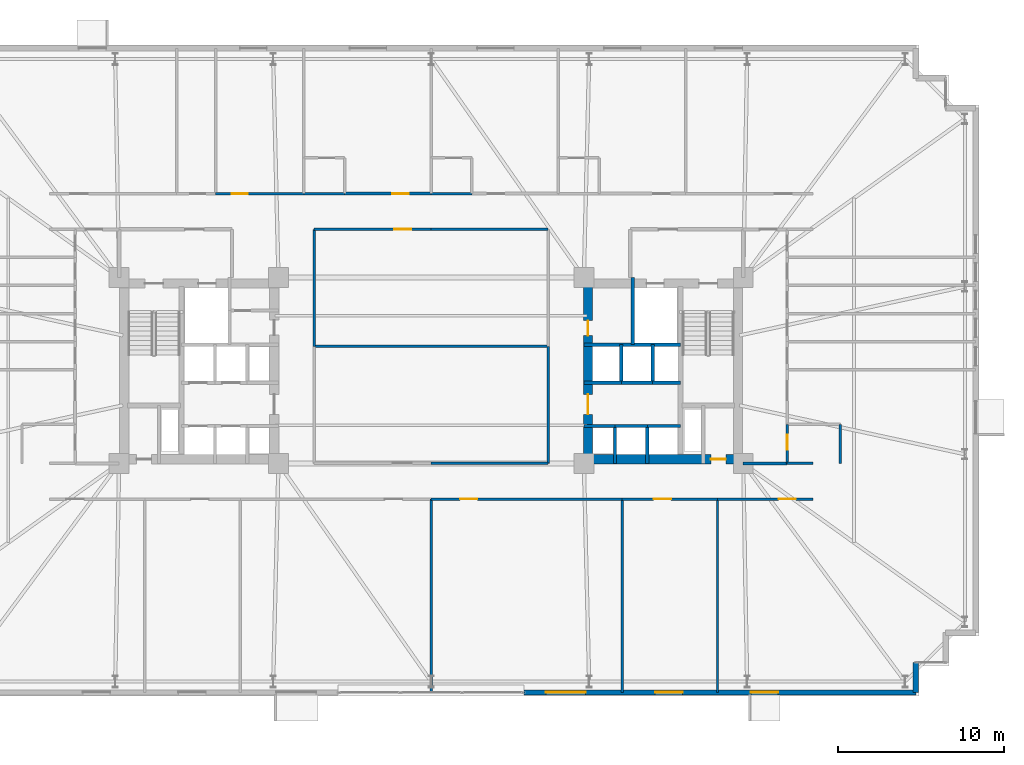
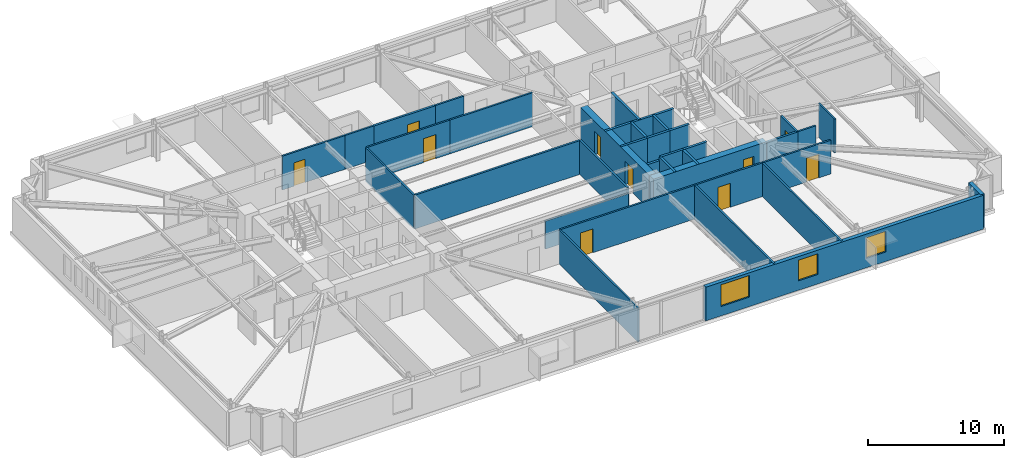
# One storey, part 20 of 24: 36 walls, 10 doors, 3 windows, 13 openings.
"""IFC4 building model written with IfcOpenShell, lengths in metres."""

from ifc_helpers import new_model, si_unit, direction, frame, frame_2d, origin, place, context, subcontext, project, spatial, rectangle, extrude, material, layer, layer_set, type_object, element, fill, save


model = new_model("IFC4")

# Units and contexts
model_context = context("Model", 3, precision=1e-05, world=origin(), true_north=direction((0.0, 1.0)))
body_context = subcontext(model_context, "Body", "Model", "MODEL_VIEW")
ifc_project = project(units=[si_unit("LENGTHUNIT", "METRE"), si_unit("AREAUNIT", "SQUARE_METRE"), si_unit("VOLUMEUNIT", "CUBIC_METRE"), si_unit("PLANEANGLEUNIT", "RADIAN"), si_unit("MASSUNIT", "GRAM", prefix="KILO")], contexts=[model_context])

# Site, building, storey
site_placement = place(None, origin())
site = spatial("IfcSite", under=ifc_project, at=site_placement, CompositionType="ELEMENT")
building_placement = place(site_placement, origin())
building = spatial("IfcBuilding", under=site, at=building_placement, Name="Qobustan Lattice House", CompositionType="ELEMENT")
storey_placement = place(building_placement, frame((0.0, 0.0, 43.75)))
storey = spatial("IfcBuildingStorey", under=building, at=storey_placement, Name="L11", CompositionType="ELEMENT", Elevation=43.75)

# Wall, opening, door
ifc_material_1 = material(Name="Concrete C60/75", Category="concrete")
ifc_layer_1 = layer(ifc_material_1, 0.56005859375)
ifc_layer_set_1 = layer_set([ifc_layer_1], Name="Concrete C60/75")
wall_type_1 = type_object("IfcWallType", Name="WAL-CORE-600", PredefinedType="SHEAR", material=ifc_layer_set_1)
wall_1_placement = place(storey_placement, frame((9.199951171875, -5.35009765625, 0.0), z_axis=(0.0, 0.0, 1.0), x_axis=(1.0, 0.0, 0.0)))
wall_1 = element("IfcWall", 1, at=wall_1_placement, inside=storey, type_object=wall_type_1, Name="L11 split-core shear wall CE-S", PredefinedType="SHEAR", context=body_context, shape_type="SweptSolid", body=[
    extrude(rectangle(XDim=9.60009765625, YDim=0.56005859375, at=frame_2d((4.800048828125, 0.0))), origin(), (0.0, 0.0, 1.0), 3.034912109375),
])
opening_1_placement = place(wall_1_placement, frame((7.64990234375, 0.0, 0.0)))
opening_1 = element("IfcOpeningElement", 2, at=opening_1_placement, cuts=wall_1, Name="Opening RD-01", PredefinedType="OPENING", context=body_context, shape_type="SweptSolid", body=[
    extrude(rectangle(XDim=0.89990234375, YDim=2.10009765625, at=frame_2d((0.449951171875, 1.050048828125))), frame((0.0, 0.2900390625, 0.0), z_axis=(0.0, -1.0, 0.0), x_axis=(1.0, 0.0, 0.0)), (0.0, 0.0, 1.0), 0.580078125),
])
ifc_material_2 = material(Name="Persian walnut timber and steel frame door", Category="steel")
door_type_1 = type_object("IfcDoorType", Name="DOR-RISER-FD-900x2100", OperationType="NOTDEFINED", PredefinedType="DOOR", material=ifc_material_2)
door_1_placement = place(opening_1_placement, origin())
door_1 = element("IfcDoor", 3, at=door_1_placement, inside=storey, type_object=door_type_1, Name="L11 core service riser access door E", OperationType="SINGLE_SWING_RIGHT", OverallHeight=2.10009765625, OverallWidth=0.89990234375, PredefinedType="DOOR", context=body_context, shape_type="SweptSolid", body=[
    extrude(rectangle(XDim=0.89990234375, YDim=2.10009765625, at=frame_2d((0.449951171875, 1.050048828125))), frame((0.0, 0.02490234375, 0.0), z_axis=(0.0, -1.0, 0.0), x_axis=(1.0, 0.0, 0.0)), (0.0, 0.0, 1.0), 0.050048828125),
])
fill(opening_1, door_1)

# Wall, openings, doors
wall_2_placement = place(storey_placement, frame((9.449951171875, -5.050048828125, 0.0), z_axis=(0.0, 0.0, 1.0), x_axis=(0.0, 1.0, 0.0)))
wall_2 = element("IfcWall", 4, at=wall_2_placement, inside=storey, type_object=wall_type_1, Name="L11 split-core shear wall CE-W", PredefinedType="SHEAR", context=body_context, shape_type="SweptSolid", body=[
    extrude(rectangle(XDim=10.10009765625, YDim=0.56005859375, at=frame_2d((5.050048828125, 0.0))), origin(), (0.0, 0.0, 1.0), 3.034912109375),
])
opening_2_placement = place(wall_2_placement, frame((7.14990234375, 0.0, 0.0)))
opening_2 = element("IfcOpeningElement", 5, at=opening_2_placement, cuts=wall_2, Name="Opening RD-01", PredefinedType="OPENING", context=body_context, shape_type="SweptSolid", body=[
    extrude(rectangle(XDim=0.89990234375, YDim=2.10009765625, at=frame_2d((0.449951171875, 1.050048828125))), frame((0.0, 0.2900390625, 0.0), z_axis=(0.0, -1.0, 0.0), x_axis=(1.0, 0.0, 0.0)), (0.0, 0.0, 1.0), 0.580078125),
])
opening_3_placement = place(wall_2_placement, frame((2.39990234375, 0.0, 0.0)))
opening_3 = element("IfcOpeningElement", 6, at=opening_3_placement, cuts=wall_2, Name="Opening FD-01", PredefinedType="OPENING", context=body_context, shape_type="SweptSolid", body=[
    extrude(rectangle(XDim=1.199951171875, YDim=2.14990234375, at=frame_2d((0.60009765625, 1.074951171875))), frame((0.0, 0.2900390625, 0.0), z_axis=(0.0, -1.0, 0.0), x_axis=(1.0, 0.0, 0.0)), (0.0, 0.0, 1.0), 0.580078125),
])
ifc_material_3 = material(Name="Persian walnut timber and steel frame door", Category="steel")
door_type_2 = type_object("IfcDoorType", Name="DOR-LOBBY-FD-1200x2150", OperationType="NOTDEFINED", PredefinedType="DOOR", material=ifc_material_3)
door_2_placement = place(opening_3_placement, origin())
door_2 = element("IfcDoor", 7, at=door_2_placement, inside=storey, type_object=door_type_2, Name="L11 East passenger lift lobby fire door", OperationType="SINGLE_SWING_LEFT", OverallHeight=2.14990234375, OverallWidth=1.199951171875, PredefinedType="DOOR", context=body_context, shape_type="SweptSolid", body=[
    extrude(rectangle(XDim=1.199951171875, YDim=2.14990234375, at=frame_2d((0.60009765625, 1.074951171875))), frame((0.0, 0.02490234375, 0.0), z_axis=(0.0, -1.0, 0.0), x_axis=(1.0, 0.0, 0.0)), (0.0, 0.0, 1.0), 0.050048828125),
])
fill(opening_3, door_2)
door_3_placement = place(opening_2_placement, origin())
door_3 = element("IfcDoor", 8, at=door_3_placement, inside=storey, type_object=door_type_1, Name="L11 Housekeeping linen store fire door", OperationType="SINGLE_SWING_RIGHT", OverallHeight=2.10009765625, OverallWidth=0.89990234375, PredefinedType="DOOR", context=body_context, shape_type="SweptSolid", body=[
    extrude(rectangle(XDim=0.89990234375, YDim=2.10009765625, at=frame_2d((0.449951171875, 1.050048828125))), frame((0.0, 0.02490234375, 0.0), z_axis=(0.0, -1.0, 0.0), x_axis=(1.0, 0.0, 0.0)), (0.0, 0.0, 1.0), 0.050048828125),
])
fill(opening_2, door_3)

# Wall
ifc_material_4 = material(Name="Precast concrete C40/50", Category="concrete")
ifc_layer_2 = layer(ifc_material_4, 0.320068359375)
ifc_layer_set_2 = layer_set([ifc_layer_2], Name="Precast concrete C40/50")
wall_type_2 = type_object("IfcWallType", Name="WAL-EXT-STONE-320", PredefinedType="SOLIDWALL", material=ifc_layer_set_2)
wall_3_placement = place(storey_placement, frame((29.199951171875, -17.60009765625, 0.0), z_axis=(0.0, 0.0, 1.0), x_axis=(0.0, -1.0, 0.0)))
element("IfcWall", 9, at=wall_3_placement, inside=storey, type_object=wall_type_2, Name="L11 exterior limestone-clad wall 19", PredefinedType="SOLIDWALL", context=body_context, shape_type="SweptSolid", body=[
    extrude(rectangle(XDim=1.7998046875, YDim=0.320068359375, at=frame_2d((0.89990234375, 0.0))), origin(), (0.0, 0.0, 1.0), 3.034912109375),
])

# Wall, openings, windows
wall_4_placement = place(storey_placement, frame((29.199951171875, -19.39990234375, 0.0), z_axis=(0.0, 0.0, 1.0), x_axis=(-1.0, 0.0, 0.0)))
wall_4 = element("IfcWall", 10, at=wall_4_placement, inside=storey, type_object=wall_type_2, Name="L11 iwan flank stone wall A", PredefinedType="SOLIDWALL", context=body_context, shape_type="SweptSolid", body=[
    extrude(rectangle(XDim=23.599853515625, YDim=0.320068359375, at=frame_2d((11.7998046875, 0.0))), origin(), (0.0, 0.0, 1.0), 3.034912109375),
])
opening_4_placement = place(wall_4_placement, frame((8.294921875, 0.0, 0.85009765625)))
opening_4 = element("IfcOpeningElement", 11, at=opening_4_placement, cuts=wall_4, Name="Opening WN-09", PredefinedType="OPENING", context=body_context, shape_type="SweptSolid", body=[
    extrude(rectangle(XDim=1.64990234375, YDim=1.85009765625, at=frame_2d((0.824951171875, 0.925048828125))), frame((0.0, 0.169921875, 0.0), z_axis=(0.0, -1.0, 0.0), x_axis=(1.0, 0.0, 0.0)), (0.0, 0.0, 1.0), 0.340087890625),
])
opening_5_placement = place(wall_4_placement, frame((14.054931640625, 0.0, 0.85009765625)))
opening_5 = element("IfcOpeningElement", 12, at=opening_5_placement, cuts=wall_4, Name="Opening WN-09", PredefinedType="OPENING", context=body_context, shape_type="SweptSolid", body=[
    extrude(rectangle(XDim=1.64990234375, YDim=1.85009765625, at=frame_2d((0.824951171875, 0.925048828125))), frame((0.0, 0.169921875, 0.0), z_axis=(0.0, -1.0, 0.0), x_axis=(1.0, 0.0, 0.0)), (0.0, 0.0, 1.0), 0.340087890625),
])
opening_6_placement = place(wall_4_placement, frame((19.889892578125, 0.0, 0.85009765625)))
opening_6 = element("IfcOpeningElement", 13, at=opening_6_placement, cuts=wall_4, Name="Opening WN-10", PredefinedType="OPENING", context=body_context, shape_type="SweptSolid", body=[
    extrude(rectangle(XDim=2.39990234375, YDim=1.949951171875, at=frame_2d((1.199951171875, 0.97509765625))), frame((0.0, 0.169921875, 0.0), z_axis=(0.0, -1.0, 0.0), x_axis=(1.0, 0.0, 0.0)), (0.0, 0.0, 1.0), 0.340087890625),
])
ifc_material_5 = material(Name="Double-glazed low-E aluminium window", Category="aluminium")
window_type_1 = type_object("IfcWindowType", Name="WIN-LNG-2400x1950", PartitioningType="SINGLE_PANEL", PredefinedType="WINDOW", material=ifc_material_5)
window_1_placement = place(opening_6_placement, origin())
window_1 = element("IfcWindow", 14, at=window_1_placement, inside=storey, type_object=window_type_1, Name="L11 Walnut iwan sky lounge S3 window", OverallHeight=1.949951171875, OverallWidth=2.39990234375, PartitioningType="SINGLE_PANEL", PredefinedType="WINDOW", context=body_context, shape_type="SweptSolid", body=[
    extrude(rectangle(XDim=2.39990234375, YDim=1.949951171875, at=frame_2d((1.199951171875, 0.97509765625))), frame((0.0, 0.030029296875, 0.0), z_axis=(0.0, -1.0, 0.0), x_axis=(1.0, 0.0, 0.0)), (0.0, 0.0, 1.0), 0.06005859375),
])
fill(opening_6, window_1)
ifc_material_6 = material(Name="Double-glazed low-E aluminium window", Category="aluminium")
window_type_2 = type_object("IfcWindowType", Name="WIN-STU-1650x1850", PartitioningType="SINGLE_PANEL", PredefinedType="WINDOW", material=ifc_material_6)
window_2_placement = place(opening_4_placement, origin())
window_2 = element("IfcWindow", 15, at=window_2_placement, inside=storey, type_object=window_type_2, Name="L11 Academic seminar room window", OverallHeight=1.85009765625, OverallWidth=1.64990234375, PartitioningType="SINGLE_PANEL", PredefinedType="WINDOW", context=body_context, shape_type="SweptSolid", body=[
    extrude(rectangle(XDim=1.64990234375, YDim=1.85009765625, at=frame_2d((0.824951171875, 0.925048828125))), frame((0.0, 0.030029296875, 0.0), z_axis=(0.0, -1.0, 0.0), x_axis=(1.0, 0.0, 0.0)), (0.0, 0.0, 1.0), 0.06005859375),
])
fill(opening_4, window_2)
window_3_placement = place(opening_5_placement, origin())
window_3 = element("IfcWindow", 16, at=window_3_placement, inside=storey, type_object=window_type_2, Name="L11 Group study room window", OverallHeight=1.85009765625, OverallWidth=1.64990234375, PartitioningType="SINGLE_PANEL", PredefinedType="WINDOW", context=body_context, shape_type="SweptSolid", body=[
    extrude(rectangle(XDim=1.64990234375, YDim=1.85009765625, at=frame_2d((0.824951171875, 0.925048828125))), frame((0.0, 0.030029296875, 0.0), z_axis=(0.0, -1.0, 0.0), x_axis=(1.0, 0.0, 0.0)), (0.0, 0.0, 1.0), 0.06005859375),
])
fill(opening_5, window_3)

# Wall, opening, door
ifc_material_7 = material(Name="Gypsum fireboard acoustic partition", Category="gypsum")
ifc_layer_3 = layer(ifc_material_7, 0.179931640625)
ifc_layer_set_3 = layer_set([ifc_layer_3], Name="Gypsum fireboard acoustic partition")
wall_type_3 = type_object("IfcWallType", Name="WAL-FIRE-180", PredefinedType="PARTITIONING", material=ifc_layer_set_3)
wall_5_placement = place(storey_placement, frame((-5.217041015625, 10.64990234375, 0.0), z_axis=(0.0, 0.0, 1.0), x_axis=(1.0, 0.0, 0.0)))
wall_5 = element("IfcWall", 17, at=wall_5_placement, inside=storey, type_object=wall_type_3, Name="L11 interior partition 42", PredefinedType="PARTITIONING", context=body_context, shape_type="SweptSolid", body=[
    extrude(rectangle(XDim=5.217041015625, YDim=0.179931640625, at=frame_2d((2.6083984375, 0.0))), origin(), (0.0, 0.0, 1.0), 3.034912109375),
])
opening_7_placement = place(wall_5_placement, frame((2.872802734375, 0.0, 0.0)))
opening_7 = element("IfcOpeningElement", 18, at=opening_7_placement, cuts=wall_5, Name="Opening FD-02", PredefinedType="OPENING", context=body_context, shape_type="SweptSolid", body=[
    extrude(rectangle(XDim=1.0, YDim=2.14990234375, at=frame_2d((0.5, 1.074951171875))), frame((0.0, 0.099853515625, 0.0), z_axis=(0.0, -1.0, 0.0), x_axis=(1.0, 0.0, 0.0)), (0.0, 0.0, 1.0), 0.199951171875),
])
ifc_material_8 = material(Name="Persian walnut timber and steel frame door", Category="steel")
door_type_3 = type_object("IfcDoorType", Name="DOR-UNIT-FD-1000x2150", OperationType="NOTDEFINED", PredefinedType="DOOR", material=ifc_material_8)
door_4_placement = place(opening_7_placement, origin())
door_4 = element("IfcDoor", 19, at=door_4_placement, inside=storey, type_object=door_type_3, Name="L11 North-west floor corridor to Kitchenette and studio apartment L11-N3 door", OperationType="SINGLE_SWING_RIGHT", OverallHeight=2.14990234375, OverallWidth=1.0, PredefinedType="DOOR", context=body_context, shape_type="SweptSolid", body=[
    extrude(rectangle(XDim=1.0, YDim=2.14990234375, at=frame_2d((0.5, 1.074951171875))), frame((0.0, 0.02490234375, 0.0), z_axis=(0.0, -1.0, 0.0), x_axis=(1.0, 0.0, 0.0)), (0.0, 0.0, 1.0), 0.050048828125),
])
fill(opening_7, door_4)

# Wall
wall_6_placement = place(storey_placement, frame((18.800048828125, -5.60009765625, 0.0), z_axis=(0.0, 0.0, 1.0), x_axis=(1.0, 0.0, 0.0)))
element("IfcWall", 20, at=wall_6_placement, inside=storey, type_object=wall_type_3, Name="L11 interior partition 59", PredefinedType="PARTITIONING", context=body_context, shape_type="SweptSolid", body=[
    extrude(rectangle(XDim=2.64990234375, YDim=0.179931640625, at=frame_2d((1.324951171875, 0.0))), origin(), (0.0, 0.0, 1.0), 3.034912109375),
])

# Wall, opening, door
ifc_material_9 = material(Name="Acoustic twin-stud gypsum partition", Category="gypsum")
ifc_layer_4 = layer(ifc_material_9, 0.14990234375)
ifc_layer_set_4 = layer_set([ifc_layer_4], Name="Acoustic twin-stud gypsum partition")
wall_type_4 = type_object("IfcWallType", Name="WAL-PART-150", PredefinedType="PARTITIONING", material=ifc_layer_set_4)
wall_7_placement = place(storey_placement, frame((-12.98291015625, 10.64990234375, 0.0), z_axis=(0.0, 0.0, 1.0), x_axis=(1.0, 0.0, 0.0)))
wall_7 = element("IfcWall", 21, at=wall_7_placement, inside=storey, type_object=wall_type_4, Name="L11 interior partition 41", PredefinedType="PARTITIONING", context=body_context, shape_type="SweptSolid", body=[
    extrude(rectangle(XDim=5.31591796875, YDim=0.14990234375, at=frame_2d((2.657958984375, 0.0))), origin(), (0.0, 0.0, 1.0), 3.034912109375),
])
opening_8_placement = place(wall_7_placement, frame((0.980712890625, 0.0, 0.0)))
opening_8 = element("IfcOpeningElement", 22, at=opening_8_placement, cuts=wall_7, Name="Opening ID-01", PredefinedType="OPENING", context=body_context, shape_type="SweptSolid", body=[
    extrude(rectangle(XDim=0.949951171875, YDim=2.10009765625, at=frame_2d((0.47509765625, 1.050048828125))), frame((0.0, 0.0849609375, 0.0), z_axis=(0.0, -1.0, 0.0), x_axis=(1.0, 0.0, 0.0)), (0.0, 0.0, 1.0), 0.169921875),
])
ifc_material_10 = material(Name="Persian walnut timber and steel frame door", Category="steel")
door_type_4 = type_object("IfcDoorType", Name="DOR-ROOM-950x2100", OperationType="NOTDEFINED", PredefinedType="DOOR", material=ifc_material_10)
door_5_placement = place(opening_8_placement, origin())
door_5 = element("IfcDoor", 23, at=door_5_placement, inside=storey, type_object=door_type_4, Name="L11 North-west floor corridor to Laundry utility room door", OperationType="SINGLE_SWING_LEFT", OverallHeight=2.10009765625, OverallWidth=0.949951171875, PredefinedType="DOOR", context=body_context, shape_type="SweptSolid", body=[
    extrude(rectangle(XDim=0.949951171875, YDim=2.10009765625, at=frame_2d((0.47509765625, 1.050048828125))), frame((0.0, 0.02490234375, 0.0), z_axis=(0.0, -1.0, 0.0), x_axis=(1.0, 0.0, 0.0)), (0.0, 0.0, 1.0), 0.050048828125),
])
fill(opening_8, door_5)

wall_8_placement = place(storey_placement, frame((0.0, 8.5, 0.0), z_axis=(0.0, 0.0, 1.0), x_axis=(-1.0, 0.0, 0.0)))
wall_8 = element("IfcWall", 24, at=wall_8_placement, inside=storey, type_object=wall_type_4, Name="L11 interior partition 44", PredefinedType="PARTITIONING", context=body_context, shape_type="SweptSolid", body=[
    extrude(rectangle(XDim=7.050048828125, YDim=0.14990234375, at=frame_2d((3.52490234375, 0.0))), origin(), (0.0, 0.0, 1.0), 3.034912109375),
])
opening_9_placement = place(wall_8_placement, frame((1.18505859375, 0.0, 0.0)))
opening_9 = element("IfcOpeningElement", 25, at=opening_9_placement, cuts=wall_8, Name="Opening ID-02", PredefinedType="OPENING", context=body_context, shape_type="SweptSolid", body=[
    extrude(rectangle(XDim=1.050048828125, YDim=2.14990234375, at=frame_2d((0.52490234375, 1.074951171875))), frame((0.0, 0.0849609375, 0.0), z_axis=(0.0, -1.0, 0.0), x_axis=(1.0, 0.0, 0.0)), (0.0, 0.0, 1.0), 0.169921875),
])
ifc_material_11 = material(Name="Persian walnut timber and steel frame door", Category="steel")
door_type_5 = type_object("IfcDoorType", Name="DOR-STUDY-1050x2150", OperationType="NOTDEFINED", PredefinedType="DOOR", material=ifc_material_11)
door_6_placement = place(opening_9_placement, origin())
door_6 = element("IfcDoor", 26, at=door_6_placement, inside=storey, type_object=door_type_5, Name="L11 North-west floor corridor to Central collaborative study room door", OperationType="SINGLE_SWING_LEFT", OverallHeight=2.14990234375, OverallWidth=1.050048828125, PredefinedType="DOOR", context=body_context, shape_type="SweptSolid", body=[
    extrude(rectangle(XDim=1.050048828125, YDim=2.14990234375, at=frame_2d((0.52490234375, 1.074951171875))), frame((0.0, 0.02490234375, 0.0), z_axis=(0.0, -1.0, 0.0), x_axis=(1.0, 0.0, 0.0)), (0.0, 0.0, 1.0), 0.050048828125),
])
fill(opening_9, door_6)

# Wall
wall_9_placement = place(storey_placement, frame((7.050048828125, 8.5, 0.0), z_axis=(0.0, 0.0, 1.0), x_axis=(-1.0, 0.0, 0.0)))
element("IfcWall", 27, at=wall_9_placement, inside=storey, type_object=wall_type_4, Name="L11 interior partition 52", PredefinedType="PARTITIONING", context=body_context, shape_type="SweptSolid", body=[
    extrude(rectangle(XDim=7.050048828125, YDim=0.14990234375, at=frame_2d((3.52490234375, 0.0))), origin(), (0.0, 0.0, 1.0), 3.034912109375),
])

# Wall, opening, door
wall_10_placement = place(storey_placement, frame((11.5, -7.75, 0.0), z_axis=(0.0, 0.0, 1.0), x_axis=(-1.0, 0.0, 0.0)))
wall_10 = element("IfcWall", 28, at=wall_10_placement, inside=storey, type_object=wall_type_4, Name="L11 interior partition 61", PredefinedType="PARTITIONING", context=body_context, shape_type="SweptSolid", body=[
    extrude(rectangle(XDim=11.5, YDim=0.14990234375, at=frame_2d((5.75, 0.0))), origin(), (0.0, 0.0, 1.0), 3.034912109375),
])
opening_10_placement = place(wall_10_placement, frame((8.708740234375, 0.0, 0.0)))
opening_10 = element("IfcOpeningElement", 29, at=opening_10_placement, cuts=wall_10, Name="Opening ID-02", PredefinedType="OPENING", context=body_context, shape_type="SweptSolid", body=[
    extrude(rectangle(XDim=1.050048828125, YDim=2.14990234375, at=frame_2d((0.52490234375, 1.074951171875))), frame((0.0, 0.0849609375, 0.0), z_axis=(0.0, -1.0, 0.0), x_axis=(1.0, 0.0, 0.0)), (0.0, 0.0, 1.0), 0.169921875),
])
door_7_placement = place(opening_10_placement, origin())
door_7 = element("IfcDoor", 30, at=door_7_placement, inside=storey, type_object=door_type_5, Name="L11 South-east floor corridor to Walnut iwan sky lounge S3 door", OperationType="SINGLE_SWING_RIGHT", OverallHeight=2.14990234375, OverallWidth=1.050048828125, PredefinedType="DOOR", context=body_context, shape_type="SweptSolid", body=[
    extrude(rectangle(XDim=1.050048828125, YDim=2.14990234375, at=frame_2d((0.52490234375, 1.074951171875))), frame((0.0, 0.02490234375, 0.0), z_axis=(0.0, -1.0, 0.0), x_axis=(1.0, 0.0, 0.0)), (0.0, 0.0, 1.0), 0.050048828125),
])
fill(opening_10, door_7)

wall_11_placement = place(storey_placement, frame((17.25, -7.75, 0.0), z_axis=(0.0, 0.0, 1.0), x_axis=(-1.0, 0.0, 0.0)))
wall_11 = element("IfcWall", 31, at=wall_11_placement, inside=storey, type_object=wall_type_4, Name="L11 interior partition 62", PredefinedType="PARTITIONING", context=body_context, shape_type="SweptSolid", body=[
    extrude(rectangle(XDim=5.75, YDim=0.14990234375, at=frame_2d((2.875, 0.0))), origin(), (0.0, 0.0, 1.0), 3.034912109375),
])
opening_11_placement = place(wall_11_placement, frame((2.79248046875, 0.0, 0.0)))
opening_11 = element("IfcOpeningElement", 32, at=opening_11_placement, cuts=wall_11, Name="Opening ID-02", PredefinedType="OPENING", context=body_context, shape_type="SweptSolid", body=[
    extrude(rectangle(XDim=1.050048828125, YDim=2.14990234375, at=frame_2d((0.52490234375, 1.074951171875))), frame((0.0, 0.0849609375, 0.0), z_axis=(0.0, -1.0, 0.0), x_axis=(1.0, 0.0, 0.0)), (0.0, 0.0, 1.0), 0.169921875),
])
door_8_placement = place(opening_11_placement, origin())
door_8 = element("IfcDoor", 33, at=door_8_placement, inside=storey, type_object=door_type_5, Name="L11 South-east floor corridor to Group study room door", OperationType="SINGLE_SWING_LEFT", OverallHeight=2.14990234375, OverallWidth=1.050048828125, PredefinedType="DOOR", context=body_context, shape_type="SweptSolid", body=[
    extrude(rectangle(XDim=1.050048828125, YDim=2.14990234375, at=frame_2d((0.52490234375, 1.074951171875))), frame((0.0, 0.02490234375, 0.0), z_axis=(0.0, -1.0, 0.0), x_axis=(1.0, 0.0, 0.0)), (0.0, 0.0, 1.0), 0.050048828125),
])
fill(opening_11, door_8)

wall_12_placement = place(storey_placement, frame((23.0, -7.75, 0.0), z_axis=(0.0, 0.0, 1.0), x_axis=(-1.0, 0.0, 0.0)))
wall_12 = element("IfcWall", 34, at=wall_12_placement, inside=storey, type_object=wall_type_4, Name="L11 interior partition 63", PredefinedType="PARTITIONING", context=body_context, shape_type="SweptSolid", body=[
    extrude(rectangle(XDim=5.75, YDim=0.14990234375, at=frame_2d((2.875, 0.0))), origin(), (0.0, 0.0, 1.0), 3.034912109375),
])
opening_12_placement = place(wall_12_placement, frame((1.0224609375, 0.0, 0.0)))
opening_12 = element("IfcOpeningElement", 35, at=opening_12_placement, cuts=wall_12, Name="Opening ID-02", PredefinedType="OPENING", context=body_context, shape_type="SweptSolid", body=[
    extrude(rectangle(XDim=1.050048828125, YDim=2.14990234375, at=frame_2d((0.52490234375, 1.074951171875))), frame((0.0, 0.0849609375, 0.0), z_axis=(0.0, -1.0, 0.0), x_axis=(1.0, 0.0, 0.0)), (0.0, 0.0, 1.0), 0.169921875),
])
door_9_placement = place(opening_12_placement, origin())
door_9 = element("IfcDoor", 36, at=door_9_placement, inside=storey, type_object=door_type_5, Name="L11 South-east floor corridor to Academic seminar room door", OperationType="SINGLE_SWING_RIGHT", OverallHeight=2.14990234375, OverallWidth=1.050048828125, PredefinedType="DOOR", context=body_context, shape_type="SweptSolid", body=[
    extrude(rectangle(XDim=1.050048828125, YDim=2.14990234375, at=frame_2d((0.52490234375, 1.074951171875))), frame((0.0, 0.02490234375, 0.0), z_axis=(0.0, -1.0, 0.0), x_axis=(1.0, 0.0, 0.0)), (0.0, 0.0, 1.0), 0.050048828125),
])
fill(opening_12, door_9)

# Walls
wall_13_placement = place(storey_placement, frame((-7.050048828125, 8.5, 0.0), z_axis=(0.0, 0.0, 1.0), x_axis=(0.0, -1.0, 0.0)))
element("IfcWall", 37, at=wall_13_placement, inside=storey, type_object=wall_type_4, Name="L11 interior partition 66", PredefinedType="PARTITIONING", context=body_context, shape_type="SweptSolid", body=[
    extrude(rectangle(XDim=7.050048828125, YDim=0.14990234375, at=frame_2d((3.52490234375, 0.0))), origin(), (0.0, 0.0, 1.0), 3.034912109375),
])
for number, where, z_axis, x_axis, name in (
    (38, (0.0, -7.75, 0.0), (0.0, 0.0, 1.0), (0.0, -1.0, 0.0), "L11 interior partition 114"),
    (39, (11.5, -7.75, 0.0), (0.0, 0.0, 1.0), (0.0, -1.0, 0.0), "L11 interior partition 115"),
    (40, (17.25, -7.75, 0.0), (0.0, 0.0, 1.0), (0.0, -1.0, 0.0), "L11 interior partition 116"),
):
    element("IfcWall", number, at=place(storey_placement, frame(where, z_axis=z_axis, x_axis=x_axis)), inside=storey, type_object=wall_type_4, Name=name, PredefinedType="PARTITIONING", context=body_context, shape_type="SweptSolid", body=[
        extrude(rectangle(XDim=11.64990234375, YDim=0.14990234375, at=frame_2d((5.824951171875, 0.0))), origin(), (0.0, 0.0, 1.0), 3.034912109375),
    ])
ifc_material_12 = material(Name="High-mass acoustic twin-stud partition", Category="gypsum")
ifc_layer_5 = layer(ifc_material_12, 0.1650390625)
ifc_layer_set_5 = layer_set([ifc_layer_5], Name="High-mass acoustic twin-stud partition")
wall_type_5 = type_object("IfcWallType", Name="WAL-PART-165", PredefinedType="PARTITIONING", material=ifc_layer_set_5)
wall_14_placement = place(storey_placement, frame((0.0, -5.60009765625, 0.0), z_axis=(0.0, 0.0, 1.0), x_axis=(1.0, 0.0, 0.0)))
element("IfcWall", 41, at=wall_14_placement, inside=storey, type_object=wall_type_5, Name="L11 interior partition 64", PredefinedType="PARTITIONING", context=body_context, shape_type="SweptSolid", body=[
    extrude(rectangle(XDim=7.050048828125, YDim=0.1650390625, at=frame_2d((3.52490234375, 0.0))), origin(), (0.0, 0.0, 1.0), 2.52001953125),
])
wall_15_placement = place(storey_placement, frame((7.050048828125, -5.60009765625, 0.0), z_axis=(0.0, 0.0, 1.0), x_axis=(0.0, 1.0, 0.0)))
element("IfcWall", 42, at=wall_15_placement, inside=storey, type_object=wall_type_5, Name="L11 interior partition 67", PredefinedType="PARTITIONING", context=body_context, shape_type="SweptSolid", body=[
    extrude(rectangle(XDim=7.050048828125, YDim=0.1650390625, at=frame_2d((3.52490234375, 0.0))), origin(), (0.0, 0.0, 1.0), 3.034912109375),
])
wall_16_placement = place(storey_placement, frame((-7.050048828125, 1.449951171875, 0.0), z_axis=(0.0, 0.0, 1.0), x_axis=(1.0, 0.0, 0.0)))
element("IfcWall", 43, at=wall_16_placement, inside=storey, type_object=wall_type_5, Name="L11 interior partition 117", PredefinedType="PARTITIONING", context=body_context, shape_type="SweptSolid", body=[
    extrude(rectangle(XDim=14.10009765625, YDim=0.1650390625, at=frame_2d((7.050048828125, 0.0))), origin(), (0.0, 0.0, 1.0), 3.034912109375),
])
ifc_material_13 = material(Name="Concrete C40/50", Category="concrete")
ifc_layer_6 = layer(ifc_material_13, 0.199951171875)
ifc_layer_set_6 = layer_set([ifc_layer_6], Name="Concrete C40/50")
wall_type_6 = type_object("IfcWallType", Name="WAL-SHAFT-200", PredefinedType="PARTITIONING", material=ifc_layer_set_6)
wall_17_placement = place(storey_placement, frame((12.14990234375, 5.60009765625, 0.0), z_axis=(0.0, 0.0, 1.0), x_axis=(0.0, -1.0, 0.0)))
element("IfcWall", 44, at=wall_17_placement, inside=storey, type_object=wall_type_6, Name="L11 interior partition 21", PredefinedType="PARTITIONING", context=body_context, shape_type="SweptSolid", body=[
    extrude(rectangle(XDim=4.050048828125, YDim=0.199951171875, at=frame_2d((2.02490234375, 0.0))), origin(), (0.0, 0.0, 1.0), 3.034912109375),
])
wall_18_placement = place(storey_placement, frame((9.199951171875, -3.35009765625, 0.0), z_axis=(0.0, 0.0, 1.0), x_axis=(1.0, 0.0, 0.0)))
element("IfcWall", 45, at=wall_18_placement, inside=storey, type_object=wall_type_6, Name="L11 interior partition 26", PredefinedType="PARTITIONING", context=body_context, shape_type="SweptSolid", body=[
    extrude(rectangle(XDim=1.880126953125, YDim=0.199951171875, at=frame_2d((0.93994140625, 0.0))), origin(), (0.0, 0.0, 1.0), 2.75),
])
wall_19_placement = place(storey_placement, frame((11.080078125, -3.35009765625, 0.0), z_axis=(0.0, 0.0, 1.0), x_axis=(1.0, 0.0, 0.0)))
element("IfcWall", 46, at=wall_19_placement, inside=storey, type_object=wall_type_6, Name="L11 interior partition 27", PredefinedType="PARTITIONING", context=body_context, shape_type="SweptSolid", body=[
    extrude(rectangle(XDim=1.93994140625, YDim=0.199951171875, at=frame_2d((0.969970703125, 0.0))), origin(), (0.0, 0.0, 1.0), 3.034912109375),
])
wall_20_placement = place(storey_placement, frame((13.02001953125, -3.35009765625, 0.0), z_axis=(0.0, 0.0, 1.0), x_axis=(1.0, 0.0, 0.0)))
element("IfcWall", 47, at=wall_20_placement, inside=storey, type_object=wall_type_6, Name="L11 interior partition 28", PredefinedType="PARTITIONING", context=body_context, shape_type="SweptSolid", body=[
    extrude(rectangle(XDim=2.0, YDim=0.199951171875, at=frame_2d((1.0, 0.0))), origin(), (0.0, 0.0, 1.0), 3.034912109375),
])
wall_21_placement = place(storey_placement, frame((11.4599609375, -0.75, 0.0), z_axis=(0.0, 0.0, 1.0), x_axis=(-1.0, 0.0, 0.0)))
element("IfcWall", 48, at=wall_21_placement, inside=storey, type_object=wall_type_6, Name="L11 interior partition 29", PredefinedType="PARTITIONING", context=body_context, shape_type="SweptSolid", body=[
    extrude(rectangle(XDim=2.260009765625, YDim=0.199951171875, at=frame_2d((1.1298828125, 0.0))), origin(), (0.0, 0.0, 1.0), 3.034912109375),
])
wall_22_placement = place(storey_placement, frame((13.340087890625, -0.75, 0.0), z_axis=(0.0, 0.0, 1.0), x_axis=(-1.0, 0.0, 0.0)))
element("IfcWall", 49, at=wall_22_placement, inside=storey, type_object=wall_type_6, Name="L11 interior partition 30", PredefinedType="PARTITIONING", context=body_context, shape_type="SweptSolid", body=[
    extrude(rectangle(XDim=1.880126953125, YDim=0.199951171875, at=frame_2d((0.93994140625, 0.0))), origin(), (0.0, 0.0, 1.0), 3.034912109375),
])
wall_23_placement = place(storey_placement, frame((15.02001953125, -0.75, 0.0), z_axis=(0.0, 0.0, 1.0), x_axis=(-1.0, 0.0, 0.0)))
element("IfcWall", 50, at=wall_23_placement, inside=storey, type_object=wall_type_6, Name="L11 interior partition 31", PredefinedType="PARTITIONING", context=body_context, shape_type="SweptSolid", body=[
    extrude(rectangle(XDim=1.679931640625, YDim=0.199951171875, at=frame_2d((0.83984375, 0.0))), origin(), (0.0, 0.0, 1.0), 3.034912109375),
])
for number, where, z_axis, x_axis, name in (
    (51, (11.080078125, -5.60009765625, 0.0), (0.0, 0.0, 1.0), (0.0, 1.0, 0.0), "L11 interior partition 33"),
    (52, (13.02001953125, -5.60009765625, 0.0), (0.0, 0.0, 1.0), (0.0, 1.0, 0.0), "L11 interior partition 34"),
):
    element("IfcWall", number, at=place(storey_placement, frame(where, z_axis=z_axis, x_axis=x_axis)), inside=storey, type_object=wall_type_6, Name=name, PredefinedType="PARTITIONING", context=body_context, shape_type="SweptSolid", body=[
        extrude(rectangle(XDim=2.25, YDim=0.199951171875, at=frame_2d((1.125, 0.0))), origin(), (0.0, 0.0, 1.0), 3.034912109375),
    ])
for number, where, z_axis, x_axis, name in (
    (53, (11.4599609375, -0.75, 0.0), (0.0, 0.0, 1.0), (0.0, 1.0, 0.0), "L11 interior partition 35"),
    (54, (13.340087890625, -0.75, 0.0), (0.0, 0.0, 1.0), (0.0, 1.0, 0.0), "L11 interior partition 36"),
):
    element("IfcWall", number, at=place(storey_placement, frame(where, z_axis=z_axis, x_axis=x_axis)), inside=storey, type_object=wall_type_6, Name=name, PredefinedType="PARTITIONING", context=body_context, shape_type="SweptSolid", body=[
        extrude(rectangle(XDim=2.300048828125, YDim=0.199951171875, at=frame_2d((1.14990234375, 0.0))), origin(), (0.0, 0.0, 1.0), 3.034912109375),
    ])
wall_24_placement = place(storey_placement, frame((9.199951171875, 1.550048828125, 0.0), z_axis=(0.0, 0.0, 1.0), x_axis=(1.0, 0.0, 0.0)))
element("IfcWall", 55, at=wall_24_placement, inside=storey, type_object=wall_type_6, Name="L11 interior partition 119", PredefinedType="PARTITIONING", context=body_context, shape_type="SweptSolid", body=[
    extrude(rectangle(XDim=5.820068359375, YDim=0.199951171875, at=frame_2d((2.91015625, 0.0))), origin(), (0.0, 0.0, 1.0), 3.034912109375),
])
ifc_material_14 = material(Name="Moisture-resistant acoustic plumbing wall", Category="gypsum")
ifc_layer_7 = layer(ifc_material_14, 0.14990234375)
ifc_layer_set_7 = layer_set([ifc_layer_7], Name="Moisture-resistant acoustic plumbing wall")
wall_type_7 = type_object("IfcWallType", Name="WAL-WET-150", PredefinedType="PLUMBINGWALL", material=ifc_layer_set_7)
for number, where, z_axis, x_axis, name in (
    (56, (-7.6669921875, 10.64990234375, 0.0), (0.0, 0.0, 1.0), (1.0, 0.0, 0.0), "L11 interior partition 43"),
    (57, (0.0, 10.64990234375, 0.0), (0.0, 0.0, 1.0), (1.0, 0.0, 0.0), "L11 interior partition 48"),
):
    element("IfcWall", number, at=place(storey_placement, frame(where, z_axis=z_axis, x_axis=x_axis)), inside=storey, type_object=wall_type_7, Name=name, PredefinedType="PLUMBINGWALL", context=body_context, shape_type="SweptSolid", body=[
        extrude(rectangle(XDim=2.449951171875, YDim=0.14990234375, at=frame_2d((1.22509765625, 0.0))), origin(), (0.0, 0.0, 1.0), 3.034912109375),
    ])
wall_25_placement = place(storey_placement, frame((21.449951171875, -5.60009765625, 0.0), z_axis=(0.0, 0.0, 1.0), x_axis=(1.0, 0.0, 0.0)))
element("IfcWall", 58, at=wall_25_placement, inside=storey, type_object=wall_type_7, Name="L11 interior partition 60", PredefinedType="PLUMBINGWALL", context=body_context, shape_type="SweptSolid", body=[
    extrude(rectangle(XDim=1.550048828125, YDim=0.14990234375, at=frame_2d((0.77490234375, 0.0))), origin(), (0.0, 0.0, 1.0), 3.034912109375),
])

# Wall, opening, door
wall_26_placement = place(storey_placement, frame((21.449951171875, -3.25, 0.0), z_axis=(0.0, 0.0, 1.0), x_axis=(0.0, -1.0, 0.0)))
wall_26 = element("IfcWall", 59, at=wall_26_placement, inside=storey, type_object=wall_type_7, Name="L11 interior partition 83", PredefinedType="PLUMBINGWALL", context=body_context, shape_type="SweptSolid", body=[
    extrude(rectangle(XDim=2.35009765625, YDim=0.14990234375, at=frame_2d((1.175048828125, 0.0))), origin(), (0.0, 0.0, 1.0), 3.034912109375),
])
opening_13_placement = place(wall_26_placement, frame((0.6162109375, 0.0, 0.0)))
opening_13 = element("IfcOpeningElement", 60, at=opening_13_placement, cuts=wall_26, Name="Opening WD-01", PredefinedType="OPENING", context=body_context, shape_type="SweptSolid", body=[
    extrude(rectangle(XDim=0.89990234375, YDim=2.10009765625, at=frame_2d((0.449951171875, 1.050048828125))), frame((0.0, 0.0849609375, 0.0), z_axis=(0.0, -1.0, 0.0), x_axis=(1.0, 0.0, 0.0)), (0.0, 0.0, 1.0), 0.169921875),
])
ifc_material_15 = material(Name="Persian walnut timber and steel frame door", Category="steel")
door_type_6 = type_object("IfcDoorType", Name="DOR-WET-900x2100", OperationType="NOTDEFINED", PredefinedType="DOOR", material=ifc_material_15)
door_10_placement = place(opening_13_placement, origin())
door_10 = element("IfcDoor", 61, at=door_10_placement, inside=storey, type_object=door_type_6, Name="L11 Residence entrance hall L11E to Shared bathroom L11E door", OperationType="SINGLE_SWING_RIGHT", OverallHeight=2.10009765625, OverallWidth=0.89990234375, PredefinedType="DOOR", context=body_context, shape_type="SweptSolid", body=[
    extrude(rectangle(XDim=0.89990234375, YDim=2.10009765625, at=frame_2d((0.449951171875, 1.050048828125))), frame((0.0, 0.02490234375, 0.0), z_axis=(0.0, -1.0, 0.0), x_axis=(1.0, 0.0, 0.0)), (0.0, 0.0, 1.0), 0.050048828125),
])
fill(opening_13, door_10)

# Wall
wall_27_placement = place(storey_placement, frame((24.64990234375, -3.25, 0.0), z_axis=(0.0, 0.0, 1.0), x_axis=(0.0, -1.0, 0.0)))
element("IfcWall", 62, at=wall_27_placement, inside=storey, type_object=wall_type_7, Name="L11 interior partition 91", PredefinedType="PLUMBINGWALL", context=body_context, shape_type="SweptSolid", body=[
    extrude(rectangle(XDim=2.35009765625, YDim=0.14990234375, at=frame_2d((1.175048828125, 0.0))), origin(), (0.0, 0.0, 1.0), 3.034912109375),
])

save(model, "model.ifc")
